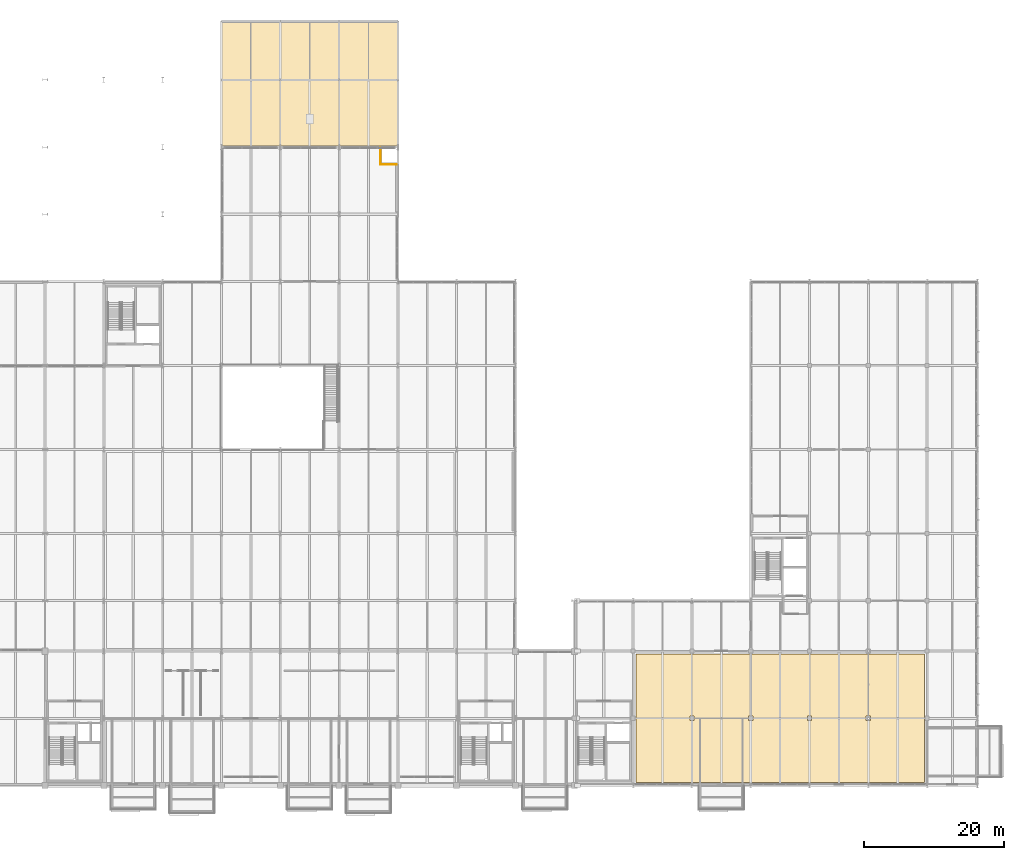
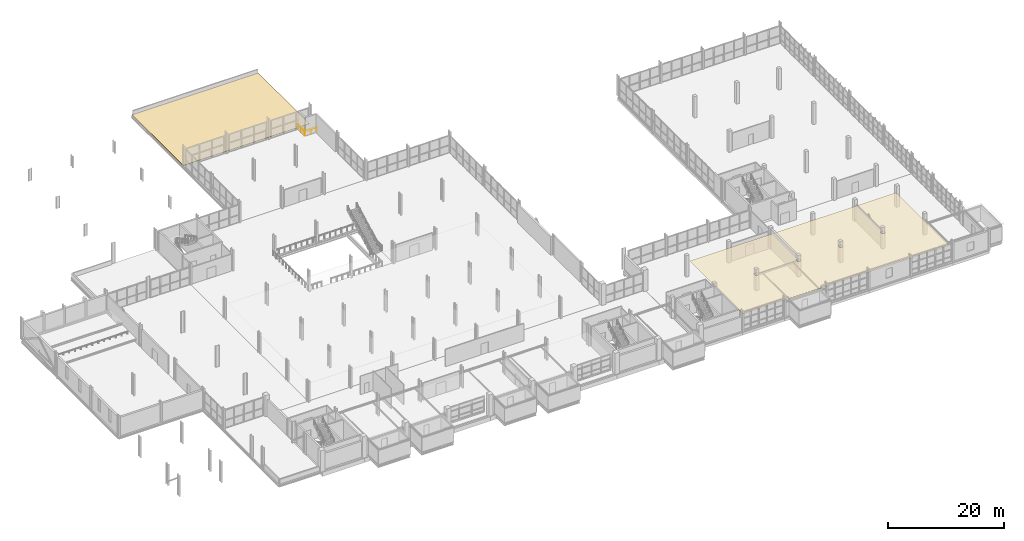
# One storey, part 110 of 113: 2 coverings, 1 railing.
"""IFC4 building model written with IfcOpenShell, lengths in metres."""

from ifc_helpers import new_model, si_unit, direction, frame, origin, origin_2d, place, context, subcontext, project, spatial, polyline, circle, outline, extrude, material, layer, layer_set, type_object, element, save


model = new_model("IFC4")

# Units and contexts
model_context = context("Model", 3, precision=1e-05, world=origin(), true_north=direction((0.0, 1.0)))
body_context = subcontext(model_context, "Body", "Model", "MODEL_VIEW")
ifc_project = project(units=[si_unit("LENGTHUNIT", "METRE"), si_unit("AREAUNIT", "SQUARE_METRE"), si_unit("VOLUMEUNIT", "CUBIC_METRE"), si_unit("PLANEANGLEUNIT", "RADIAN"), si_unit("MASSUNIT", "GRAM", prefix="KILO")], contexts=[model_context])

# Site, building, storey
site_placement = place(None, origin())
site = spatial("IfcSite", under=ifc_project, at=site_placement, CompositionType="ELEMENT")
building_placement = place(site_placement, origin())
building = spatial("IfcBuilding", under=site, at=building_placement, Name="Veltarok Museum of Natural Sciences", CompositionType="ELEMENT")
storey_placement = place(building_placement, frame((0.0, 0.0, 8.39990234375)))
storey = spatial("IfcBuildingStorey", under=building, at=storey_placement, Name="L01", CompositionType="ELEMENT", Elevation=8.39990234375)

# Covering
ifc_material_1 = material(Name="EPDM waterproofing membrane")
ifc_layer_1 = layer(ifc_material_1, 0.06005859375)
ifc_layer_set_1 = layer_set([ifc_layer_1], Name="EPDM waterproofing membrane")
covering_type_1 = type_object("IfcCoveringType", Name="EPDM Waterproofing and Acoustic Roof Membrane 60", PredefinedType="ROOFING", material=ifc_layer_set_1)
covering_1_placement = place(storey_placement, origin())
element("IfcCovering", 1, at=covering_1_placement, inside=storey, type_object=covering_type_1, Name="Roof Waterproofing RF-V2N0", PredefinedType="ROOFING", context=body_context, shape_type="SweptSolid", body=[
    extrude(outline(polyline([(56.800048828125, 91.449951171875), (56.800048828125, 109.199951171875), (82.0, 109.199951171875), (82.0, 91.449951171875), (56.800048828125, 91.449951171875)])), origin(), (0.0, 0.0, 1.0), 0.06005859375),
])

# Railing
ifc_material_2 = material(Name="Steel S355J2", Category="steel")
railing_type = type_object("IfcRailingType", Name="Interior Atrium and Stairwell Guardrail 1100", PredefinedType="GUARDRAIL", material=ifc_material_2)
railing_placement = place(storey_placement, frame((79.5, 91.050048828125, 0.0)))
element("IfcRailing", 2, at=railing_placement, inside=storey, type_object=railing_type, Name="Diorama Overlook Void Guardrail L01", PredefinedType="GUARDRAIL", context=body_context, shape_type="SweptSolid", body=[
    extrude(circle(Radius=0.02392578125, at=origin_2d()), frame((0.0, 0.0, 1.076171875), z_axis=(0.0, -1.0, 0.0), x_axis=(1.0, 0.0, 0.0)), (0.0, 0.0, 1.0), 2.35009765625),
    extrude(circle(Radius=0.02392578125, at=origin_2d()), frame((0.0, -2.35009765625, 1.076171875), z_axis=(1.0, 0.0, 0.0), x_axis=(0.0, 1.0, 0.0)), (0.0, 0.0, 1.0), 2.35009765625),
    extrude(circle(Radius=0.02099609375, at=origin_2d()), origin(), (0.0, 0.0, 1.0), 1.052001953125),
    extrude(circle(Radius=0.02099609375, at=origin_2d()), frame((0.0, -1.175048828125, 0.0)), (0.0, 0.0, 1.0), 1.052001953125),
    extrude(circle(Radius=0.02099609375, at=origin_2d()), frame((0.0, -2.35009765625, 0.0)), (0.0, 0.0, 1.0), 1.052001953125),
    extrude(circle(Radius=0.02099609375, at=origin_2d()), frame((1.175048828125, -2.35009765625, 0.0)), (0.0, 0.0, 1.0), 1.052001953125),
    extrude(circle(Radius=0.02099609375, at=origin_2d()), frame((2.35009765625, -2.35009765625, 0.0)), (0.0, 0.0, 1.0), 1.052001953125),
])

# Covering
ifc_material_3 = material(Name="Acoustic gypsum and mineral wool")
ifc_layer_2 = layer(ifc_material_3, 0.044921875)
ifc_layer_set_2 = layer_set([ifc_layer_2], Name="Acoustic gypsum and mineral wool")
covering_type_2 = type_object("IfcCoveringType", Name="Perforated Acoustic Museum Ceiling Baffle System 45", PredefinedType="CEILING", material=ifc_layer_set_2)
covering_2_placement = place(storey_placement, frame((0.0, 0.0, 3.2001953125)))
element("IfcCovering", 3, at=covering_2_placement, inside=storey, type_object=covering_type_2, Name="Acoustic Gallery Ceiling L01-06", PredefinedType="CEILING", context=body_context, shape_type="SweptSolid", body=[
    extrude(outline(polyline([(116.0, 0.39990234375), (116.0, 18.800048828125), (157.199951171875, 18.800048828125), (157.199951171875, 0.39990234375), (116.0, 0.39990234375)]), holes=[polyline([(132.7080078125, 9.907958984375), (132.092041015625, 9.907958984375), (132.092041015625, 9.2919921875), (132.7080078125, 9.2919921875), (132.7080078125, 9.907958984375)]), polyline([(123.69189453125, 9.907958984375), (123.69189453125, 9.2919921875), (124.30810546875, 9.2919921875), (124.30810546875, 9.907958984375), (123.69189453125, 9.907958984375)]), polyline([(140.491943359375, 9.907958984375), (140.491943359375, 9.2919921875), (141.10791015625, 9.2919921875), (141.10791015625, 9.907958984375), (140.491943359375, 9.907958984375)]), polyline([(148.89208984375, 9.907958984375), (148.89208984375, 9.2919921875), (149.508056640625, 9.2919921875), (149.508056640625, 9.907958984375), (148.89208984375, 9.907958984375)])]), origin(), (0.0, 0.0, 1.0), 0.044921875),
])

save(model, "model.ifc")
